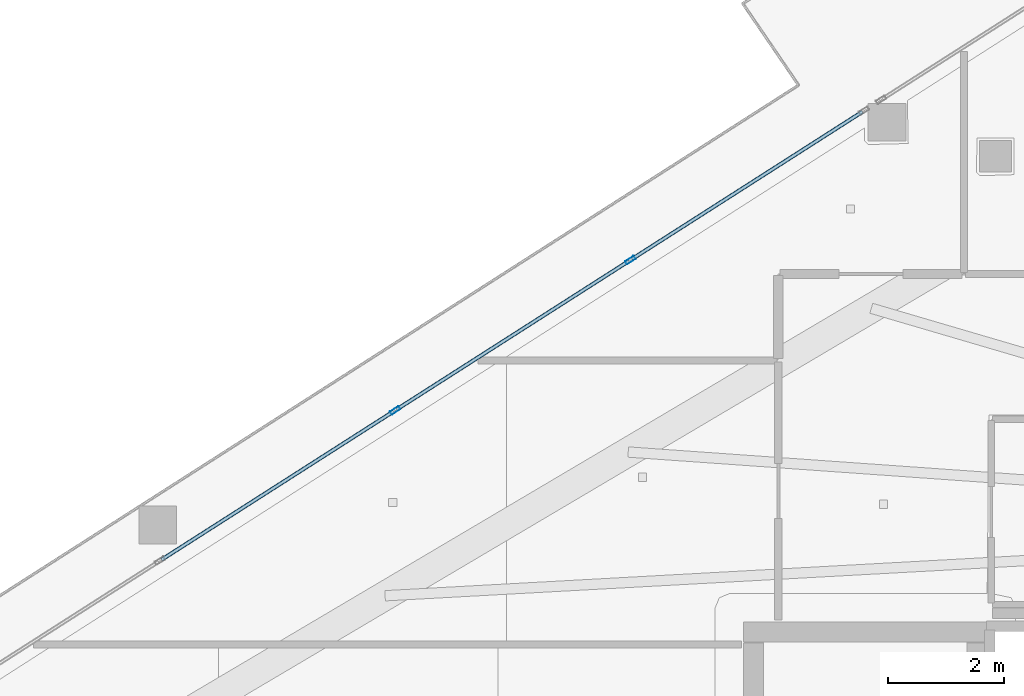
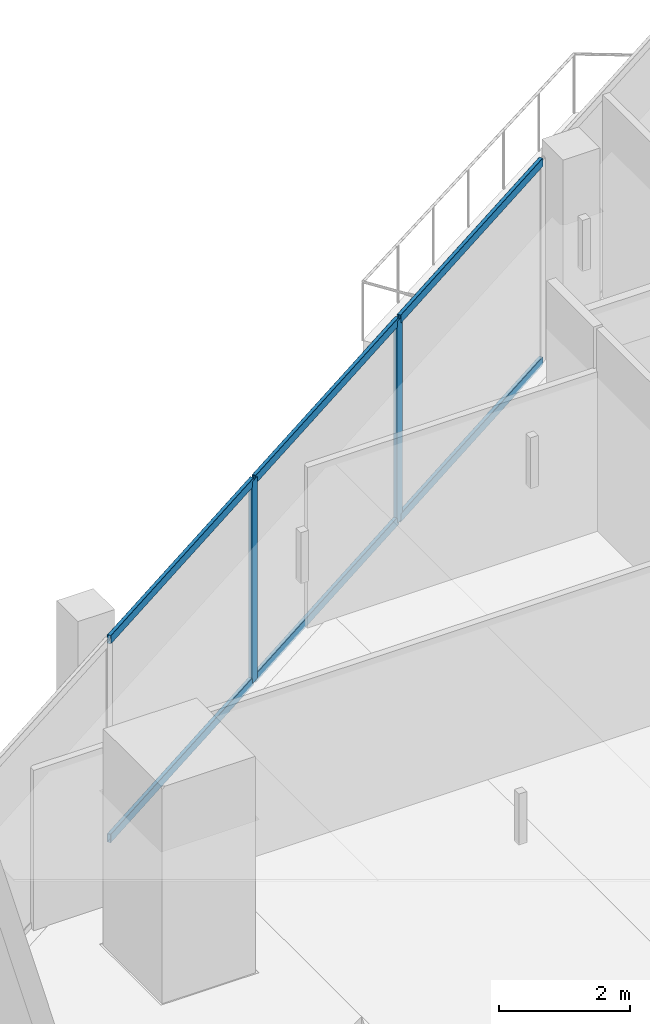
# One storey, part 14 of 36: 8 members, 1 element without a shape of its own.
"""IFC4 building model written with IfcOpenShell, lengths in metres."""

import ifcopenshell
import ifcopenshell.guid

model = None  # the IFC model being written
_history = None  # IfcOwnerHistory: only IFC2X3 demands one
_inside = {}  # id of a spatial element -> (the spatial element, [elements in it])
_under = {}  # id of a project, library or spatial element -> (it, [spatial elements below it])
_declared = {}  # id of a project -> (the project, [libraries it declares])
_typed = {}  # id of a type object -> (the type object, [elements of that type])
_made_of = {}  # id of a material, layer set ... -> (it, [elements and type objects made of it])


def new_model(schema):
    """Start an empty IFC model of exactly this schema.

    Asked for "IFC4X3", IfcOpenShell would pick the latest addendum, in which some entities
    have other attributes; the version numbers below select the first issue.
    IFC2X3 requires an IfcOwnerHistory on every rooted entity: one is made here for all.
    """
    global model, _history
    if schema == "IFC4X3":
        model = ifcopenshell.file(schema_version=(4, 3, 0, 0))
    else:
        model = ifcopenshell.file(schema=schema)
    _inside.clear()
    _under.clear()
    _declared.clear()
    _typed.clear()
    _made_of.clear()
    _history = None
    if model.schema == "IFC2X3":
        org = make("IfcOrganization", Name="unknown")
        user = make(
            "IfcPersonAndOrganization",
            ThePerson=make("IfcPerson", FamilyName="unknown"),
            TheOrganization=org,
        )
        app = make(
            "IfcApplication",
            ApplicationDeveloper=org,
            Version="unknown",
            ApplicationFullName="unknown",
            ApplicationIdentifier="unknown",
        )
        _history = make(
            "IfcOwnerHistory",
            OwningUser=user,
            OwningApplication=app,
            ChangeAction="ADDED",
            CreationDate=0,
        )
    return model


def make(cls, **values):
    """One entity of the class cls with the attributes given. An attribute that is None is left unset."""
    return model.create_entity(
        cls, **{name: value for name, value in values.items() if value is not None}
    )


def rooted(cls, **values):
    """An entity with a GlobalId (a new one), such as an element, a storey or a relation."""
    return make(cls, GlobalId=ifcopenshell.guid.new(), OwnerHistory=_history, **values)


def si_unit(unit_type, name, prefix=None):
    """IfcSIUnit, for example si_unit("LENGTHUNIT", "METRE", prefix="MILLI")."""
    return make("IfcSIUnit", UnitType=unit_type, Prefix=prefix, Name=name)


def assignment(units):
    """IfcUnitAssignment: the units of a project."""
    return None if units is None else make("IfcUnitAssignment", Units=units)


def point(xyz):
    """IfcCartesianPoint."""
    return None if xyz is None else make("IfcCartesianPoint", Coordinates=xyz)


def direction(xyz):
    """IfcDirection."""
    return None if xyz is None else make("IfcDirection", DirectionRatios=xyz)


def frame(location, z_axis=None, x_axis=None):
    """IfcAxis2Placement3D, a coordinate frame: its origin and axes. An axis left out is left unset."""
    return make(
        "IfcAxis2Placement3D",
        Location=point(location),
        Axis=direction(z_axis),
        RefDirection=direction(x_axis),
    )


def frame_2d(location, x_axis=None):
    """IfcAxis2Placement2D, a coordinate frame in the plane: its origin and x axis."""
    return make(
        "IfcAxis2Placement2D", Location=point(location), RefDirection=direction(x_axis)
    )


def origin():
    """The frame at (0, 0, 0) with its axes left unset."""
    return frame((0.0, 0.0, 0.0))


def origin_2d():
    """The frame at (0, 0) in the plane with its x axis left unset."""
    return frame_2d((0.0, 0.0))


def place(relative_to, where):
    """IfcLocalPlacement: puts the frame where relative to a parent placement (None: the world)."""
    return make(
        "IfcLocalPlacement", PlacementRelTo=relative_to, RelativePlacement=where
    )


def context(
    kind, dimensions, precision=None, world=None, true_north=None, identifier=None
):
    """IfcGeometricRepresentationContext, for example the 3D "Model" context."""
    return make(
        "IfcGeometricRepresentationContext",
        ContextIdentifier=identifier,
        ContextType=kind,
        CoordinateSpaceDimension=dimensions,
        Precision=precision,
        WorldCoordinateSystem=world,
        TrueNorth=true_north,
    )


def subcontext(parent, identifier, kind, view, scale=None):
    """IfcGeometricRepresentationSubContext, for example "Body" below "Model"."""
    return make(
        "IfcGeometricRepresentationSubContext",
        ContextIdentifier=identifier,
        ContextType=kind,
        ParentContext=parent,
        TargetScale=scale,
        TargetView=view,
    )


def project(units=None, contexts=None):
    """IfcProject with its units and contexts."""
    return rooted(
        "IfcProject",
        Name="project",
        RepresentationContexts=contexts,
        UnitsInContext=assignment(units),
    )


def spatial(cls, under=None, at=None, **own):
    """A site, building, storey or space (cls), placed at a placement, below another one or the project."""
    s = rooted(cls, ObjectPlacement=at, **own)
    if under is not None:
        _under.setdefault(under.id(), (under, []))[1].append(s)
    return s


def profile(cls, at=None, kind="AREA", **sizes):
    """A parametric profile (cls). Its sizes go by their IFC names, for example OverallWidth=200.0."""
    return make(cls, ProfileType=kind, Position=at, **sizes)


def hollow_rectangle(**sizes):
    """IfcRectangleHollowProfileDef."""
    return profile("IfcRectangleHollowProfileDef", **sizes)


def extrude(swept, where, along, depth):
    """IfcExtrudedAreaSolid: the profile swept, set in the frame where, extruded along a direction by depth."""
    return make(
        "IfcExtrudedAreaSolid",
        SweptArea=swept,
        Position=where,
        ExtrudedDirection=direction(along),
        Depth=depth,
    )


def shape(context_of_items, identifier, shape_type, items):
    """IfcShapeRepresentation: the items that make up one representation, for example the "Body"."""
    return make(
        "IfcShapeRepresentation",
        ContextOfItems=context_of_items,
        RepresentationIdentifier=identifier,
        RepresentationType=shape_type,
        Items=items,
    )


def material(Name=None, Category=None):
    """IfcMaterial."""
    return make("IfcMaterial", Name=Name, Category=Category)


def layer(
    of_material, thickness, ventilated=None, Name=None, Category=None, Priority=None
):
    """IfcMaterialLayer: one layer of a wall or slab, of a material (None: an air gap)."""
    return make(
        "IfcMaterialLayer",
        Material=of_material,
        LayerThickness=thickness,
        IsVentilated=ventilated,
        Name=Name,
        Category=Category,
        Priority=Priority,
    )


def layer_set(layers, Name=None):
    """IfcMaterialLayerSet."""
    return make("IfcMaterialLayerSet", MaterialLayers=layers, LayerSetName=Name)


def material_profile(
    of_material, cross_section, Name=None, Category=None, Priority=None
):
    """IfcMaterialProfile: a cross section and its material."""
    return make(
        "IfcMaterialProfile",
        Name=Name,
        Material=of_material,
        Profile=cross_section,
        Priority=Priority,
        Category=Category,
    )


def profile_set(profiles, Name=None, composite=None):
    """IfcMaterialProfileSet."""
    return make(
        "IfcMaterialProfileSet",
        Name=Name,
        MaterialProfiles=profiles,
        CompositeProfile=composite,
    )


def made_of(thing, what):
    """Note that an element or type object is made of a material, layer set ...; save() writes the relation."""
    if what is not None:
        _made_of.setdefault(what.id(), (what, []))[1].append(thing)
    return thing


def type_object(cls, material=None, **own):
    """A type object (cls), such as IfcWallType, which elements share."""
    return made_of(rooted(cls, **own), material)


def element(
    cls,
    number,
    at=None,
    inside=None,
    cuts=None,
    type_object=None,
    material=None,
    context=None,
    identifier="Body",
    shape_type=None,
    held_by="IfcProductDefinitionShape",
    body=None,
    shapes=None,
    **own,
):
    """One element of the class cls, such as IfcWall. Its Tag is "e" and its number.

    at: its placement. inside: the storey or other place that contains it. cuts: it is an
    opening in that element (IfcRelVoidsElement). A single representation is given by context,
    identifier, shape_type and body (its items); several are given by shapes. held_by: the class
    of the entity that holds the representations. save() writes the other relations.
    """
    e = rooted(cls, Tag="e%d" % number, ObjectPlacement=at, **own)
    if body is not None:
        shapes = [shape(context, identifier, shape_type, body)]
    if shapes is not None:
        e.Representation = make(held_by, Representations=shapes)
    if inside is not None:
        _inside.setdefault(inside.id(), (inside, []))[1].append(e)
    if cuts is not None:
        rooted(
            "IfcRelVoidsElement", RelatingBuildingElement=cuts, RelatedOpeningElement=e
        )
    if type_object is not None:
        _typed.setdefault(type_object.id(), (type_object, []))[1].append(e)
    return made_of(e, material)


def aggregate(whole, parts):
    """IfcRelAggregates: a whole, such as a stair, and the parts it consists of."""
    return rooted("IfcRelAggregates", RelatingObject=whole, RelatedObjects=parts)


def save(model, path):
    """Write the relations noted so far, then the file.

    IfcRelAggregates (storeys below a building ...), IfcRelContainedInSpatialStructure (elements
    in a storey), IfcRelDefinesByType, IfcRelAssociatesMaterial and IfcRelDeclares: one each for
    every whole, place, type object, material and project.
    """
    for whole, parts in _under.values():
        aggregate(whole, parts)
    for where, things in _inside.values():
        rooted(
            "IfcRelContainedInSpatialStructure",
            RelatedElements=things,
            RelatingStructure=where,
        )
    for kind, things in _typed.values():
        rooted("IfcRelDefinesByType", RelatedObjects=things, RelatingType=kind)
    for what, things in _made_of.values():
        rooted("IfcRelAssociatesMaterial", RelatedObjects=things, RelatingMaterial=what)
    for by, libraries in _declared.values():
        rooted("IfcRelDeclares", RelatingContext=by, RelatedDefinitions=libraries)
    model.write(path)


model = new_model("IFC4")

# Units and contexts
model_context = context("Model", 3, precision=1e-05, world=origin(), true_north=direction((0.0, 1.0)))
body_context = subcontext(model_context, "Body", "Model", "MODEL_VIEW")
ifc_project = project(units=[si_unit("LENGTHUNIT", "METRE"), si_unit("AREAUNIT", "SQUARE_METRE"), si_unit("VOLUMEUNIT", "CUBIC_METRE"), si_unit("PLANEANGLEUNIT", "RADIAN"), si_unit("MASSUNIT", "GRAM", prefix="KILO")], contexts=[model_context])

# Site, building, storey
site_placement = place(None, origin())
site = spatial("IfcSite", under=ifc_project, at=site_placement, CompositionType="ELEMENT")
building_placement = place(site_placement, origin())
building = spatial("IfcBuilding", under=site, at=building_placement, Name="Qorvath Tower", CompositionType="ELEMENT")
storey_placement = place(building_placement, frame((0.0, 0.0, 241.5)))
storey = spatial("IfcBuildingStorey", under=building, at=storey_placement, Name="L56", CompositionType="ELEMENT", Elevation=241.5)

# Curtain wall, members
ifc_material_1 = material(Name="Anodised aluminium and triple low-E glass", Category="aluminium")
ifc_layer = layer(ifc_material_1, 0.179931640625)
ifc_layer_set = layer_set([ifc_layer], Name="CW-SYS-3")
curtain_wall_type = type_object("IfcCurtainWallType", Name="CW-SYS-3", PredefinedType="NOTDEFINED", material=ifc_layer_set)
curtain_wall_placement = place(storey_placement, origin())
curtain_wall = element("IfcCurtainWall", 1, at=curtain_wall_placement, inside=storey, type_object=curtain_wall_type, Name="Curtain Wall CW-3 CW-T-L56-16.3", PredefinedType="NOTDEFINED")
ifc_material_2 = material(Name="Anodised aluminium 6063-T6", Category="aluminium")
ifc_material_profile_1 = material_profile(ifc_material_2, hollow_rectangle(XDim=0.06494140625, YDim=0.179931640625, WallThickness=0.00341796875, InnerFilletRadius=0.00341796875, OuterFilletRadius=0.007080078125, at=origin_2d()), Name="CWM 180x65")
ifc_profile_set_1 = profile_set([ifc_material_profile_1], Name="Anodised aluminium 6063-T6")
member_type_1 = type_object("IfcMemberType", Name="CWM-180", PredefinedType="MULLION", material=ifc_profile_set_1)
member_1_placement = place(storey_placement, frame((-40.413330078125, 11.0, 0.0), z_axis=(0.0, 0.0, 1.0), x_axis=(0.538526839039, -0.842608357207, 0.0)))
member_1 = element("IfcMember", 2, at=member_1_placement, type_object=member_type_1, Name="CW-3 mullion 2", PredefinedType="MULLION", context=body_context, shape_type="SweptSolid", body=[
    extrude(hollow_rectangle(XDim=0.06494140625, YDim=0.179931640625, WallThickness=0.00341796875, InnerFilletRadius=0.00341796875, OuterFilletRadius=0.007080078125, at=origin_2d()), origin(), (0.0, 0.0, 1.0), 3.780029296875),
])
member_2_placement = place(storey_placement, frame((-44.475830078125, 8.4033203125, 0.0), z_axis=(0.0, 0.0, 1.0), x_axis=(0.538526839039, -0.842608357207, 0.0)))
member_2 = element("IfcMember", 3, at=member_2_placement, type_object=member_type_1, Name="CW-3 mullion 3", PredefinedType="MULLION", context=body_context, shape_type="SweptSolid", body=[
    extrude(hollow_rectangle(XDim=0.06494140625, YDim=0.179931640625, WallThickness=0.00341796875, InnerFilletRadius=0.00341796875, OuterFilletRadius=0.007080078125, at=origin_2d()), origin(), (0.0, 0.0, 1.0), 3.780029296875),
])
ifc_material_3 = material(Name="Anodised aluminium 6063-T6", Category="aluminium")
ifc_material_profile_2 = material_profile(ifc_material_3, hollow_rectangle(XDim=0.06494140625, YDim=0.159912109375, WallThickness=0.00341796875, InnerFilletRadius=0.00341796875, OuterFilletRadius=0.007080078125, at=origin_2d()), Name="CWT 160x65")
ifc_profile_set_2 = profile_set([ifc_material_profile_2], Name="Anodised aluminium 6063-T6")
member_type_2 = type_object("IfcMemberType", Name="CWT-160", PredefinedType="USERDEFINED", material=ifc_profile_set_2)
member_3_placement = place(storey_placement, frame((-36.4052734375, 13.561279296875, 0.032470703125), z_axis=(-0.842612879889, -0.538519762539, 0.0), x_axis=(0.538519762539, -0.842612879889, 0.0)))
member_3 = element("IfcMember", 4, at=member_3_placement, type_object=member_type_2, Name="CW-3 transom 1.1", ObjectType="TRANSOM", PredefinedType="USERDEFINED", context=body_context, shape_type="SweptSolid", body=[
    extrude(hollow_rectangle(XDim=0.06494140625, YDim=0.159912109375, WallThickness=0.00341796875, InnerFilletRadius=0.00341796875, OuterFilletRadius=0.007080078125, at=origin_2d()), origin(), (0.0, 0.0, 1.0), 4.723876953125),
])
member_4_placement = place(storey_placement, frame((-36.4052734375, 13.561279296875, 3.74755859375), z_axis=(-0.842612879889, -0.538519762539, 0.0), x_axis=(0.538519762539, -0.842612879889, 0.0)))
member_4 = element("IfcMember", 5, at=member_4_placement, type_object=member_type_2, Name="CW-3 transom 1.2", ObjectType="TRANSOM", PredefinedType="USERDEFINED", context=body_context, shape_type="SweptSolid", body=[
    extrude(hollow_rectangle(XDim=0.06494140625, YDim=0.159912109375, WallThickness=0.00341796875, InnerFilletRadius=0.00341796875, OuterFilletRadius=0.007080078125, at=origin_2d()), origin(), (0.0, 0.0, 1.0), 4.723876953125),
])
member_5_placement = place(storey_placement, frame((-40.440673828125, 10.982421875, 0.032470703125), z_axis=(-0.842603097133, -0.538535069147, 0.0), x_axis=(0.538535069147, -0.842603097133, 0.0)))
member_5 = element("IfcMember", 6, at=member_5_placement, type_object=member_type_2, Name="CW-3 transom 2.1", ObjectType="TRANSOM", PredefinedType="USERDEFINED", context=body_context, shape_type="SweptSolid", body=[
    extrude(hollow_rectangle(XDim=0.06494140625, YDim=0.159912109375, WallThickness=0.00341796875, InnerFilletRadius=0.00341796875, OuterFilletRadius=0.007080078125, at=origin_2d()), origin(), (0.0, 0.0, 1.0), 4.75634765625),
])
member_6_placement = place(storey_placement, frame((-40.440673828125, 10.982421875, 3.74755859375), z_axis=(-0.842603097133, -0.538535069147, 0.0), x_axis=(0.538535069147, -0.842603097133, 0.0)))
member_6 = element("IfcMember", 7, at=member_6_placement, type_object=member_type_2, Name="CW-3 transom 2.2", ObjectType="TRANSOM", PredefinedType="USERDEFINED", context=body_context, shape_type="SweptSolid", body=[
    extrude(hollow_rectangle(XDim=0.06494140625, YDim=0.159912109375, WallThickness=0.00341796875, InnerFilletRadius=0.00341796875, OuterFilletRadius=0.007080078125, at=origin_2d()), origin(), (0.0, 0.0, 1.0), 4.75634765625),
])
member_7_placement = place(storey_placement, frame((-44.503173828125, 8.385986328125, 0.032470703125), z_axis=(-0.842603097133, -0.538535069147, 0.0), x_axis=(0.538535069147, -0.842603097133, 0.0)))
member_7 = element("IfcMember", 8, at=member_7_placement, type_object=member_type_2, Name="CW-3 transom 3.1", ObjectType="TRANSOM", PredefinedType="USERDEFINED", context=body_context, shape_type="SweptSolid", body=[
    extrude(hollow_rectangle(XDim=0.06494140625, YDim=0.159912109375, WallThickness=0.00341796875, InnerFilletRadius=0.00341796875, OuterFilletRadius=0.007080078125, at=origin_2d()), origin(), (0.0, 0.0, 1.0), 4.75634765625),
])
member_8_placement = place(storey_placement, frame((-44.503173828125, 8.385986328125, 3.74755859375), z_axis=(-0.842603097133, -0.538535069147, 0.0), x_axis=(0.538535069147, -0.842603097133, 0.0)))
member_8 = element("IfcMember", 9, at=member_8_placement, type_object=member_type_2, Name="CW-3 transom 3.2", ObjectType="TRANSOM", PredefinedType="USERDEFINED", context=body_context, shape_type="SweptSolid", body=[
    extrude(hollow_rectangle(XDim=0.06494140625, YDim=0.159912109375, WallThickness=0.00341796875, InnerFilletRadius=0.00341796875, OuterFilletRadius=0.007080078125, at=origin_2d()), origin(), (0.0, 0.0, 1.0), 4.75634765625),
])
aggregate(curtain_wall, [member_1, member_2, member_3, member_4, member_5, member_6, member_7, member_8])

save(model, "model.ifc")
